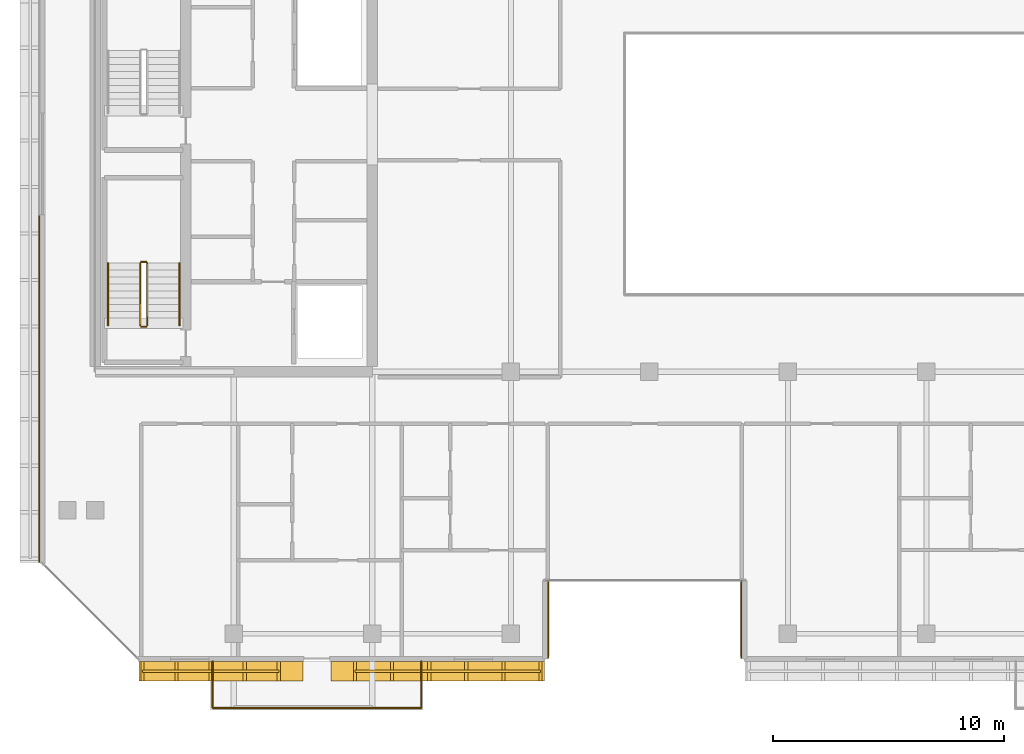
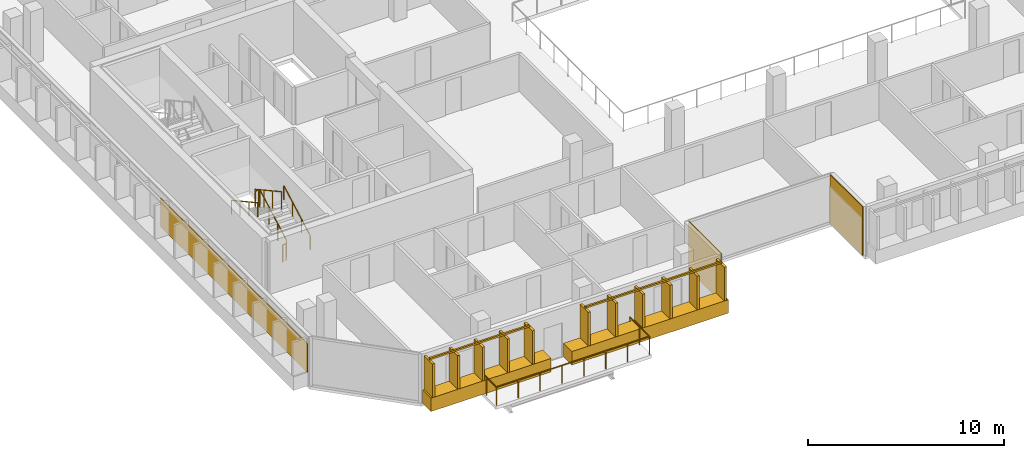
# One storey, part 21 of 25: 9 railings, 5 coverings.
"""IFC4 building model written with IfcOpenShell, lengths in metres."""

from ifc_helpers import new_model, si_unit, direction, frame, origin, origin_2d, place, context, subcontext, project, spatial, rectangle, extrude, material, layer, layer_set, type_object, element, save


model = new_model("IFC4")

# Units and contexts
model_context = context("Model", 3, precision=1e-05, world=origin(), true_north=direction((0.0, 1.0)))
body_context = subcontext(model_context, "Body", "Model", "MODEL_VIEW")
ifc_project = project(units=[si_unit("LENGTHUNIT", "METRE"), si_unit("AREAUNIT", "SQUARE_METRE"), si_unit("VOLUMEUNIT", "CUBIC_METRE"), si_unit("PLANEANGLEUNIT", "RADIAN"), si_unit("MASSUNIT", "GRAM", prefix="KILO")], contexts=[model_context])

# Site, building, storey
site_placement = place(None, origin())
site = spatial("IfcSite", under=ifc_project, at=site_placement, CompositionType="ELEMENT")
building_placement = place(site_placement, origin())
building = spatial("IfcBuilding", under=site, at=building_placement, Name="Tanjung Sevakor Pilgrim Tower", CompositionType="ELEMENT")
storey_placement = place(building_placement, frame((0.0, 0.0, 204.929931640625)))
storey = spatial("IfcBuildingStorey", under=building, at=storey_placement, Name="L57", CompositionType="ELEMENT", Elevation=204.929931640625)

# Coverings
ifc_material_1 = material(Name="Reconstructed Limestone Cladding", Category="masonry")
ifc_layer = layer(ifc_material_1, 0.044921875)
ifc_layer_set = layer_set([ifc_layer], Name="COV-CLAD-LIMESTONE")
covering_type = type_object("IfcCoveringType", Name="COV-CLAD-LIMESTONE", PredefinedType="CLADDING", material=ifc_layer_set)
covering_1_placement = place(storey_placement, frame((29.437744140625, 11.6201171875, 0.01025390625), z_axis=(0.0, 0.0, 1.0), x_axis=(1.0, 0.0, 0.0)))
element("IfcCovering", 1, at=covering_1_placement, inside=storey, type_object=covering_type, Name="L57 Warm Limestone Sill Spandrel EW-L57-MAIN-1-1", PredefinedType="CLADDING", context=body_context, shape_type="SweptSolid", body=[
    extrude(rectangle(XDim=7.1044921875, YDim=0.860107421875, at=origin_2d()), origin(), (0.0, 0.0, 1.0), 0.840087890625),
])
covering_2_placement = place(storey_placement, frame((38.830078125, 11.6201171875, 0.01025390625), z_axis=(0.0, 0.0, 1.0), x_axis=(1.0, 0.0, 0.0)))
element("IfcCovering", 2, at=covering_2_placement, inside=storey, type_object=covering_type, Name="L57 Warm Limestone Sill Spandrel EW-L57-MAIN-1-2", PredefinedType="CLADDING", context=body_context, shape_type="SweptSolid", body=[
    extrude(rectangle(XDim=9.239990234375, YDim=0.860107421875, at=origin_2d()), origin(), (0.0, 0.0, 1.0), 0.840087890625),
])
for number, where, z_axis, x_axis, name in (
    (3, (43.62255859375, 13.860107421875, 0.02001953125), (0.0, 0.0, 1.0), (0.0, 1.0, 0.0), "L57 Warm Limestone Wall Cladding EW-L57-MAIN-2"),
    (4, (51.9775390625, 13.860107421875, 0.02001953125), (0.0, 0.0, 1.0), (0.0, -1.0, 0.0), "L57 Warm Limestone Wall Cladding EW-L57-MAIN-4"),
):
    element("IfcCovering", number, at=place(storey_placement, frame(where, z_axis=z_axis, x_axis=x_axis)), inside=storey, type_object=covering_type, Name=name, PredefinedType="CLADDING", context=body_context, shape_type="SweptSolid", body=[
        extrude(rectangle(XDim=3.360107421875, YDim=0.044921875, at=origin_2d()), origin(), (0.0, 0.0, 1.0), 3.0400390625),
    ])
covering_3_placement = place(storey_placement, frame((21.577392578125, 23.8427734375, 0.85009765625), z_axis=(0.0, 0.0, 1.0), x_axis=(0.0, -1.0, 0.0)))
element("IfcCovering", 5, at=covering_3_placement, inside=storey, type_object=covering_type, Name="L57 Warm Limestone Pier Panel EW-L57-MAIN-15-2", PredefinedType="CLADDING", context=body_context, shape_type="SweptSolid", body=[
    extrude(rectangle(XDim=15.014404296875, YDim=0.044921875, at=origin_2d()), origin(), (0.0, 0.0, 1.0), 1.81005859375),
])

# Railings
ifc_material_2 = material(Name="Laminated Glass and Aluminium", Category="aluminium")
railing_type_1 = type_object("IfcRailingType", Name="RL-BAL-BALUST", PredefinedType="BALUSTRADE", material=ifc_material_2)
railing_1_placement = place(storey_placement, frame((29.080078125, 12.050048828125, 0.0)))
element("IfcRailing", 6, at=railing_1_placement, inside=storey, type_object=railing_type_1, Name="L57 Loggia Balustrade MAIN-S1", PredefinedType="BALUSTRADE", context=body_context, shape_type="SweptSolid", body=[
    extrude(rectangle(XDim=0.0479, YDim=0.0479), frame((0.0, 0.0, 1.1259765625), z_axis=(0.0, -1.0, 0.0), x_axis=(1.0, 0.0, 0.0)), (0.0, 0.0, 1.0), 2.02001953125),
    extrude(rectangle(XDim=0.0479, YDim=0.0479), frame((0.0, -2.02001953125, 1.1259765625), z_axis=(1.0, 0.0, 0.0), x_axis=(0.0, 1.0, 0.0)), (0.0, 0.0, 1.0), 9.0400390625),
    extrude(rectangle(XDim=0.0479, YDim=0.0479), frame((9.0400390625, -2.02001953125, 1.1259765625), z_axis=(0.0, 1.0, 0.0), x_axis=(-1.0, 0.0, 0.0)), (0.0, 0.0, 1.0), 2.02001953125),
    extrude(rectangle(XDim=0.042, YDim=0.042), origin(), (0.0, 0.0, 1.0), 1.101806640625),
    extrude(rectangle(XDim=0.042, YDim=0.042), frame((0.0, -1.010009765625, 0.0)), (0.0, 0.0, 1.0), 1.101806640625),
    extrude(rectangle(XDim=0.042, YDim=0.042), frame((0.0, -2.02001953125, 0.0)), (0.0, 0.0, 1.0), 1.101806640625),
    extrude(rectangle(XDim=0.042, YDim=0.042), frame((1.29150390625, -2.02001953125, 0.0)), (0.0, 0.0, 1.0), 1.101806640625),
    extrude(rectangle(XDim=0.042, YDim=0.042), frame((2.582763671875, -2.02001953125, 0.0)), (0.0, 0.0, 1.0), 1.101806640625),
    extrude(rectangle(XDim=0.042, YDim=0.042), frame((3.874267578125, -2.02001953125, 0.0)), (0.0, 0.0, 1.0), 1.101806640625),
    extrude(rectangle(XDim=0.042, YDim=0.042), frame((5.165771484375, -2.02001953125, 0.0)), (0.0, 0.0, 1.0), 1.101806640625),
    extrude(rectangle(XDim=0.042, YDim=0.042), frame((6.457275390625, -2.02001953125, 0.0)), (0.0, 0.0, 1.0), 1.101806640625),
    extrude(rectangle(XDim=0.042, YDim=0.042), frame((7.74853515625, -2.02001953125, 0.0)), (0.0, 0.0, 1.0), 1.101806640625),
    extrude(rectangle(XDim=0.042, YDim=0.042), frame((9.0400390625, -2.02001953125, 0.0)), (0.0, 0.0, 1.0), 1.101806640625),
    extrude(rectangle(XDim=0.042, YDim=0.042), frame((9.0400390625, -1.010009765625, 0.0)), (0.0, 0.0, 1.0), 1.101806640625),
    extrude(rectangle(XDim=0.042, YDim=0.042), frame((9.0400390625, 0.0, 0.0)), (0.0, 0.0, 1.0), 1.101806640625),
])
ifc_material_3 = material(Name="Anodised Bronze Aluminium 6063-T6", Category="aluminium")
railing_type_2 = type_object("IfcRailingType", Name="RL-FIN-SCREEN", PredefinedType="BALUSTRADE", material=ifc_material_3)
railing_2_placement = place(storey_placement, frame((26.045654296875, 11.625, 0.840087890625)))
element("IfcRailing", 7, at=railing_2_placement, inside=storey, type_object=railing_type_2, Name="L57 Vertical Bronze-Gold Solar Fin Screen FNSCR-EW-L57-MAIN-1-1", PredefinedType="BALUSTRADE", context=body_context, shape_type="SweptSolid", body=[
    extrude(rectangle(XDim=0.105, YDim=0.105), frame((0.0, 0.0, 2.157470703125), z_axis=(1.0, 0.0, 0.0), x_axis=(0.0, 1.0, 0.0)), (0.0, 0.0, 1.0), 5.904296875),
    extrude(rectangle(XDim=0.14, YDim=0.85), origin(), (0.0, 0.0, 1.0), 2.10498046875),
    extrude(rectangle(XDim=0.14, YDim=0.85), frame((1.47607421875, 0.0, 0.0)), (0.0, 0.0, 1.0), 2.10498046875),
    extrude(rectangle(XDim=0.14, YDim=0.85), frame((2.9521484375, 0.0, 0.0)), (0.0, 0.0, 1.0), 2.10498046875),
    extrude(rectangle(XDim=0.14, YDim=0.85), frame((4.42822265625, 0.0, 0.0)), (0.0, 0.0, 1.0), 2.10498046875),
    extrude(rectangle(XDim=0.14, YDim=0.85), frame((5.904296875, 0.0, 0.0)), (0.0, 0.0, 1.0), 2.10498046875),
])
railing_3_placement = place(storey_placement, frame((35.25, 11.625, 0.840087890625)))
element("IfcRailing", 8, at=railing_3_placement, inside=storey, type_object=railing_type_2, Name="L57 Vertical Bronze-Gold Solar Fin Screen FNSCR-EW-L57-MAIN-1-2", PredefinedType="BALUSTRADE", context=body_context, shape_type="SweptSolid", body=[
    extrude(rectangle(XDim=0.105, YDim=0.105), frame((0.0, 0.0, 2.157470703125), z_axis=(1.0, 0.0, 0.0), x_axis=(0.0, 1.0, 0.0)), (0.0, 0.0, 1.0), 8.0400390625),
    extrude(rectangle(XDim=0.14, YDim=0.85), origin(), (0.0, 0.0, 1.0), 2.10498046875),
    extrude(rectangle(XDim=0.14, YDim=0.85), frame((1.60791015625, 0.0, 0.0)), (0.0, 0.0, 1.0), 2.10498046875),
    extrude(rectangle(XDim=0.14, YDim=0.85), frame((3.216064453125, 0.0, 0.0)), (0.0, 0.0, 1.0), 2.10498046875),
    extrude(rectangle(XDim=0.14, YDim=0.85), frame((4.823974609375, 0.0, 0.0)), (0.0, 0.0, 1.0), 2.10498046875),
    extrude(rectangle(XDim=0.14, YDim=0.85), frame((6.43212890625, 0.0, 0.0)), (0.0, 0.0, 1.0), 2.10498046875),
    extrude(rectangle(XDim=0.14, YDim=0.85), frame((8.0400390625, 0.0, 0.0)), (0.0, 0.0, 1.0), 2.10498046875),
])
ifc_material_4 = material(Name="Steel S355J2", Category="steel")
railing_type_3 = type_object("IfcRailingType", Name="RL-STAIR-GUARD", PredefinedType="GUARDRAIL", material=ifc_material_4)
railing_4_placement = place(storey_placement, frame((26.25, 26.60009765625, 0.1650390625)))
element("IfcRailing", 9, at=railing_4_placement, inside=storey, type_object=railing_type_3, Name="L57 TS-W1 stair guard 1", PredefinedType="GUARDRAIL", context=body_context, shape_type="SweptSolid", body=[
    extrude(rectangle(XDim=0.0479, YDim=0.0479), frame((0.0, 0.0, 1.076171875), z_axis=(0.0, 0.876197507361, 0.481952205197), x_axis=(-1.0, 0.0, 0.0)), (0.0, 0.0, 1.0), 3.08154296875),
    extrude(rectangle(XDim=0.042, YDim=0.042), origin(), (0.0, 0.0, 1.0), 1.052001953125),
    extrude(rectangle(XDim=0.042, YDim=0.042), frame((0.0, 0.89990234375, 0.4951171875)), (0.0, 0.0, 1.0), 1.052001953125),
    extrude(rectangle(XDim=0.042, YDim=0.042), frame((0.0, 1.800048828125, 0.989990234375)), (0.0, 0.0, 1.0), 1.052001953125),
    extrude(rectangle(XDim=0.042, YDim=0.042), frame((0.0, 2.699951171875, 1.485107421875)), (0.0, 0.0, 1.0), 1.052001953125),
])
railing_5_placement = place(storey_placement, frame((26.199951171875, 29.35009765625, 1.650146484375)))
element("IfcRailing", 10, at=railing_5_placement, inside=storey, type_object=railing_type_3, Name="L57 TS-W1 stair guard 2", PredefinedType="GUARDRAIL", context=body_context, shape_type="SweptSolid", body=[
    extrude(rectangle(XDim=0.0479, YDim=0.0479), frame((0.0, 0.0, 1.076171875), z_axis=(-1.0, 0.0, 0.0), x_axis=(0.0, -1.0, 0.0)), (0.0, 0.0, 1.0), 0.199951171875),
    extrude(rectangle(XDim=0.042, YDim=0.042), origin(), (0.0, 0.0, 1.0), 1.052001953125),
    extrude(rectangle(XDim=0.042, YDim=0.042), frame((-0.199951171875, 0.0, 0.0)), (0.0, 0.0, 1.0), 1.052001953125),
])
railing_6_placement = place(storey_placement, frame((25.949951171875, 29.300048828125, 1.815185546875)))
element("IfcRailing", 11, at=railing_6_placement, inside=storey, type_object=railing_type_3, Name="L57 TS-W1 stair guard 3", PredefinedType="GUARDRAIL", context=body_context, shape_type="SweptSolid", body=[
    extrude(rectangle(XDim=0.0479, YDim=0.0479), frame((0.0, 0.0, 1.076171875), z_axis=(0.0, -0.876230963923, 0.481891375584), x_axis=(1.0, 0.0, 0.0)), (0.0, 0.0, 1.0), 3.081298828125),
    extrude(rectangle(XDim=0.042, YDim=0.042), origin(), (0.0, 0.0, 1.0), 1.052001953125),
    extrude(rectangle(XDim=0.042, YDim=0.042), frame((0.0, -0.89990234375, 0.494873046875)), (0.0, 0.0, 1.0), 1.052001953125),
    extrude(rectangle(XDim=0.042, YDim=0.042), frame((0.0, -1.800048828125, 0.989990234375)), (0.0, 0.0, 1.0), 1.052001953125),
    extrude(rectangle(XDim=0.042, YDim=0.042), frame((0.0, -2.699951171875, 1.48486328125)), (0.0, 0.0, 1.0), 1.052001953125),
])
railing_7_placement = place(storey_placement, frame((26.199951171875, 26.550048828125, 0.0)))
element("IfcRailing", 12, at=railing_7_placement, inside=storey, type_object=railing_type_3, Name="L57 TS-W1 stair guard 4", PredefinedType="GUARDRAIL", context=body_context, shape_type="SweptSolid", body=[
    extrude(rectangle(XDim=0.0479, YDim=0.0479), frame((0.0, 0.0, 1.076171875), z_axis=(-1.0, 0.0, 0.0), x_axis=(0.0, -1.0, 0.0)), (0.0, 0.0, 1.0), 0.199951171875),
    extrude(rectangle(XDim=0.042, YDim=0.042), origin(), (0.0, 0.0, 1.0), 1.052001953125),
    extrude(rectangle(XDim=0.042, YDim=0.042), frame((-0.199951171875, 0.0, 0.0)), (0.0, 0.0, 1.0), 1.052001953125),
])
ifc_material_5 = material(Name="Steel S355J2", Category="steel")
railing_type_4 = type_object("IfcRailingType", Name="RL-STAIR-HAND", PredefinedType="HANDRAIL", material=ifc_material_5)
railing_8_placement = place(storey_placement, frame((27.64990234375, 26.60009765625, 0.1650390625)))
element("IfcRailing", 13, at=railing_8_placement, inside=storey, type_object=railing_type_4, Name="L57 TS-W1 stair handrail 1", PredefinedType="HANDRAIL", context=body_context, shape_type="SweptSolid", body=[
    extrude(rectangle(XDim=0.0479, YDim=0.0479), frame((0.0, 0.0, 0.8759765625), z_axis=(0.0, 0.876197507361, 0.481952205197), x_axis=(-1.0, 0.0, 0.0)), (0.0, 0.0, 1.0), 3.08154296875),
    extrude(rectangle(XDim=0.042, YDim=0.042), origin(), (0.0, 0.0, 1.0), 0.851806640625),
    extrude(rectangle(XDim=0.042, YDim=0.042), frame((0.0, 0.89990234375, 0.4951171875)), (0.0, 0.0, 1.0), 0.851806640625),
    extrude(rectangle(XDim=0.042, YDim=0.042), frame((0.0, 1.800048828125, 0.989990234375)), (0.0, 0.0, 1.0), 0.851806640625),
    extrude(rectangle(XDim=0.042, YDim=0.042), frame((0.0, 2.699951171875, 1.485107421875)), (0.0, 0.0, 1.0), 0.851806640625),
])
railing_9_placement = place(storey_placement, frame((24.550048828125, 29.300048828125, 1.815185546875)))
element("IfcRailing", 14, at=railing_9_placement, inside=storey, type_object=railing_type_4, Name="L57 TS-W1 stair handrail 2", PredefinedType="HANDRAIL", context=body_context, shape_type="SweptSolid", body=[
    extrude(rectangle(XDim=0.0479, YDim=0.0479), frame((0.0, 0.0, 0.8759765625), z_axis=(0.0, -0.876230963923, 0.481891375584), x_axis=(1.0, 0.0, 0.0)), (0.0, 0.0, 1.0), 3.081298828125),
    extrude(rectangle(XDim=0.042, YDim=0.042), origin(), (0.0, 0.0, 1.0), 0.851806640625),
    extrude(rectangle(XDim=0.042, YDim=0.042), frame((0.0, -0.89990234375, 0.494873046875)), (0.0, 0.0, 1.0), 0.851806640625),
    extrude(rectangle(XDim=0.042, YDim=0.042), frame((0.0, -1.800048828125, 0.989990234375)), (0.0, 0.0, 1.0), 0.851806640625),
    extrude(rectangle(XDim=0.042, YDim=0.042), frame((0.0, -2.699951171875, 1.48486328125)), (0.0, 0.0, 1.0), 0.851806640625),
])

save(model, "model.ifc")
